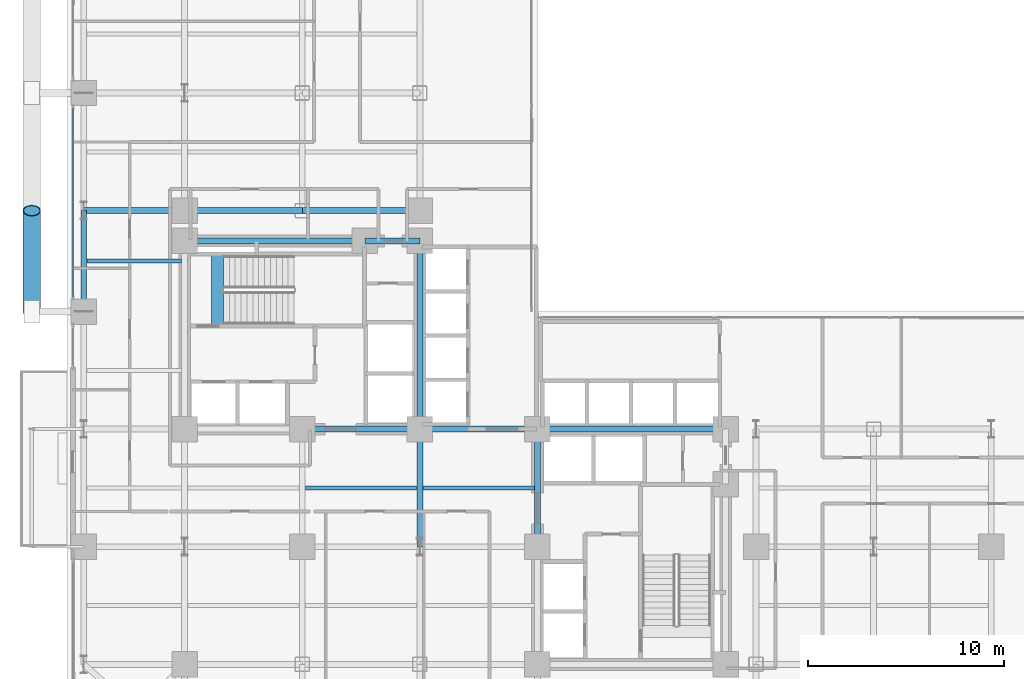
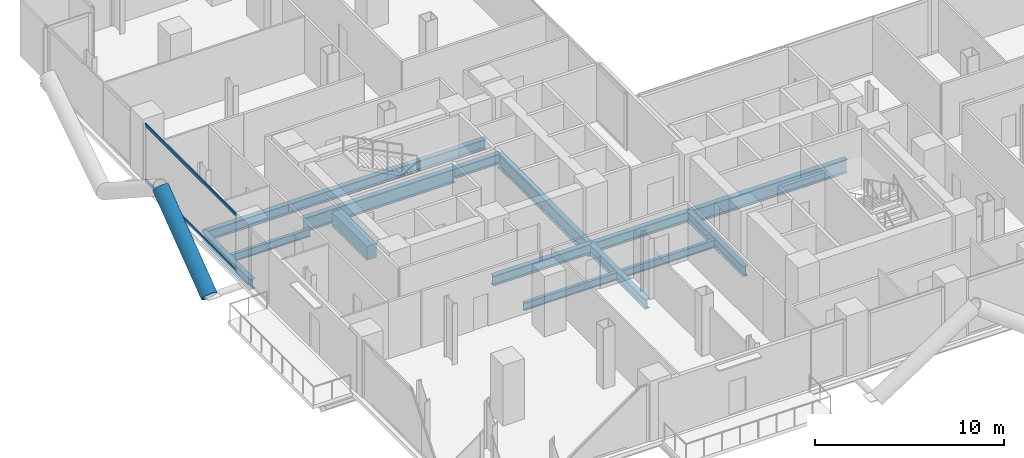
# One storey, part 6 of 25: 16 beams, 3 members, 1 element without a shape of its own.
"""IFC4 building model written with IfcOpenShell, lengths in metres."""

from ifc_helpers import new_model, si_unit, direction, frame, origin, origin_2d, place, context, subcontext, project, spatial, rectangle, hollow_rectangle, hollow_circle, i_section, extrude, material, layer, layer_set, material_profile, profile_set, type_object, element, aggregate, save


model = new_model("IFC4")

# Units and contexts
model_context = context("Model", 3, precision=1e-05, world=origin(), true_north=direction((0.0, 1.0)))
body_context = subcontext(model_context, "Body", "Model", "MODEL_VIEW")
ifc_project = project(units=[si_unit("LENGTHUNIT", "METRE"), si_unit("AREAUNIT", "SQUARE_METRE"), si_unit("VOLUMEUNIT", "CUBIC_METRE"), si_unit("PLANEANGLEUNIT", "RADIAN"), si_unit("MASSUNIT", "GRAM", prefix="KILO"), si_unit("THERMODYNAMICTEMPERATUREUNIT", "KELVIN"), si_unit("POWERUNIT", "WATT")], contexts=[model_context])

# Site, building, storey
site_placement = place(None, origin())
site = spatial("IfcSite", under=ifc_project, at=site_placement, CompositionType="ELEMENT")
building_placement = place(site_placement, origin())
building = spatial("IfcBuilding", under=site, at=building_placement, Name="Svarakhadi Broadcast Tower", CompositionType="ELEMENT")
storey_placement = place(building_placement, frame((0.0, 0.0, 36.300048828125)))
storey = spatial("IfcBuildingStorey", under=building, at=storey_placement, Name="L07", CompositionType="ELEMENT", Elevation=36.300048828125)

# Beams
ifc_material_1 = material(Name="Steel S355J2 (IS 2062 E350C)", Category="steel")
ifc_material_profile_1 = material_profile(ifc_material_1, i_section(OverallWidth=0.199951171875, OverallDepth=0.5, WebThickness=0.01025390625, FlangeThickness=0.01611328125, FilletRadius=0.02099609375, at=origin_2d()), Name="NPB 500x200x91")
ifc_profile_set_1 = profile_set([ifc_material_profile_1], Name="Steel S355J2 (IS 2062 E350C)")
beam_type_1 = type_object("IfcBeamType", Name="Beam_NPB500", PredefinedType="BEAM", material=ifc_profile_set_1)
beam_1_placement = place(storey_placement, frame((1.010009765625, 26.574951171875, -0.5), z_axis=(1.0, 0.0, 0.0), x_axis=(0.0, 1.0, 0.0)))
element("IfcBeam", 1, at=beam_1_placement, inside=storey, type_object=beam_type_1, Name="L07 Secondary Composite Beam SB004", PredefinedType="BEAM", context=body_context, shape_type="SweptSolid", body=[
    extrude(i_section(OverallWidth=0.199951171875, OverallDepth=0.5, WebThickness=0.01025390625, FlangeThickness=0.01611328125, FilletRadius=0.02099609375, at=origin_2d()), origin(), (0.0, 0.0, 1.0), 4.830078125),
])
for number, where, z_axis, x_axis, name in (
    (2, (12.159912109375, 15.0, -0.5), (1.0, 0.0, 0.0), (0.0, 1.0, 0.0), "L07 Secondary Composite Beam SB015"),
    (3, (18.159912109375, 15.0, -0.5), (1.0, 0.0, 0.0), (0.0, 1.0, 0.0), "L07 Secondary Composite Beam SB021"),
):
    element("IfcBeam", number, at=place(storey_placement, frame(where, z_axis=z_axis, x_axis=x_axis)), inside=storey, type_object=beam_type_1, Name=name, PredefinedType="BEAM", context=body_context, shape_type="SweptSolid", body=[
        extrude(i_section(OverallWidth=0.199951171875, OverallDepth=0.5, WebThickness=0.01025390625, FlangeThickness=0.01611328125, FilletRadius=0.02099609375, at=origin_2d()), origin(), (0.0, 0.0, 1.0), 5.68017578125),
    ])

# Curtain wall, members
ifc_material_2 = material(Name="Anodised Bronze Aluminium AA 6063-T6", Category="aluminium")
ifc_layer = layer(ifc_material_2, 0.219970703125)
ifc_layer_set = layer_set([ifc_layer], Name="Anodised Bronze Aluminium AA 6063-T6")
curtain_wall_type = type_object("IfcCurtainWallType", Name="CW_Sys_02", PredefinedType="NOTDEFINED", material=ifc_layer_set)
curtain_wall_placement = place(storey_placement, origin())
curtain_wall = element("IfcCurtainWall", 4, at=curtain_wall_placement, inside=storey, type_object=curtain_wall_type, Name="L07 West Curtain Wall 03 Bay 2", PredefinedType="NOTDEFINED")
ifc_material_profile_2 = material_profile(ifc_material_2, hollow_rectangle(XDim=0.074951171875, YDim=0.199951171875, WallThickness=0.0048828125, at=origin_2d()), Name="ALU TRANSOM 200x75x5")
ifc_profile_set_2 = profile_set([ifc_material_profile_2], Name="Anodised Bronze Aluminium AA 6063-T6")
member_type_1 = type_object("IfcMemberType", Name="CW_Sys_02_Trn", PredefinedType="USERDEFINED", material=ifc_profile_set_2)
member_1_placement = place(storey_placement, frame((0.300048828125, 24.7548828125, 0.037353515625), z_axis=(0.0, 1.0, 0.0), x_axis=(-1.0, 0.0, 0.0)))
member_1 = element("IfcMember", 5, at=member_1_placement, type_object=member_type_1, Name="CW-02 transom 1.1", ObjectType="TRANSOM", PredefinedType="USERDEFINED", context=body_context, shape_type="SweptSolid", body=[
    extrude(hollow_rectangle(XDim=0.074951171875, YDim=0.199951171875, WallThickness=0.0048828125, at=origin_2d()), origin(), (0.0, 0.0, 1.0), 9.64013671875),
])
member_2_placement = place(storey_placement, frame((0.300048828125, 24.7548828125, 3.612548828125), z_axis=(0.0, 1.0, 0.0), x_axis=(-1.0, 0.0, 0.0)))
member_2 = element("IfcMember", 6, at=member_2_placement, type_object=member_type_1, Name="CW-02 transom 1.2", ObjectType="TRANSOM", PredefinedType="USERDEFINED", context=body_context, shape_type="SweptSolid", body=[
    extrude(hollow_rectangle(XDim=0.074951171875, YDim=0.199951171875, WallThickness=0.0048828125, at=origin_2d()), origin(), (0.0, 0.0, 1.0), 9.64013671875),
])
aggregate(curtain_wall, [member_1, member_2])

# Beam
ifc_material_3 = material(Name="Concrete C50/60 (IS 456 M60)", Category="concrete")
ifc_material_profile_3 = material_profile(ifc_material_3, rectangle(XDim=0.60009765625, YDim=0.89990234375, at=origin_2d()), Name="RC 600x900")
ifc_profile_set_3 = profile_set([ifc_material_profile_3], Name="Concrete C50/60 (IS 456 M60)")
beam_type_2 = type_object("IfcBeamType", Name="Coupling_RC600", PredefinedType="USERDEFINED", material=ifc_profile_set_3)
beam_2_placement = place(storey_placement, frame((7.679931640625, 23.260009765625, -0.449951171875), z_axis=(0.0, 1.0, 0.0), x_axis=(-1.0, 0.0, 0.0)))
element("IfcBeam", 7, at=beam_2_placement, inside=storey, type_object=beam_type_2, Name="L07 Stair ST-01 Landing Throat Trimmer Beam CB-01", ObjectType="GIRDER", PredefinedType="USERDEFINED", context=body_context, shape_type="SweptSolid", body=[
    extrude(rectangle(XDim=0.60009765625, YDim=0.89990234375, at=origin_2d()), origin(), (0.0, 0.0, 1.0), 3.679931640625),
])

# Member
ifc_material_4 = material(Name="Steel S460ML (IS 2062 E450BR)", Category="steel")
ifc_material_profile_4 = material_profile(ifc_material_4, hollow_circle(Radius=0.45703125, WallThickness=0.044921875, at=origin_2d()), Name="CHS 914x45")
ifc_profile_set_4 = profile_set([ifc_material_profile_4], Name="Steel S460ML (IS 2062 E450BR)")
member_type_2 = type_object("IfcMemberType", Name="Exo_Brace_CHS914", PredefinedType="BRACE", material=ifc_profile_set_4)
member_3_placement = place(storey_placement, frame((-1.800048828125, 24.0, -0.427734375), z_axis=(0.0, 0.797206791841, 0.603706328476), x_axis=(-1.0, 0.0, 0.0)))
element("IfcMember", 8, at=member_3_placement, inside=storey, type_object=member_type_2, Name="L07 Exposed Bronze Exoskeleton Diagonal W05", PredefinedType="BRACE", context=body_context, shape_type="SweptSolid", body=[
    extrude(hollow_circle(Radius=0.45703125, WallThickness=0.044921875, at=origin_2d()), origin(), (0.0, 0.0, 1.0), 6.4599609375),
])

# Beams
ifc_material_profile_5 = material_profile(ifc_material_1, i_section(OverallWidth=0.300048828125, OverallDepth=0.64990234375, WebThickness=0.01611328125, FlangeThickness=0.031005859375, FilletRadius=0.027099609375, at=origin_2d()), Name="WPB 650x300x225")
ifc_profile_set_5 = profile_set([ifc_material_profile_5], Name="Steel S355J2 (IS 2062 E350C)")
beam_type_3 = type_object("IfcBeamType", Name="Girder_WPB650", PredefinedType="USERDEFINED", material=ifc_profile_set_5)
for number, where, z_axis, x_axis, name in (
    (9, (12.0, 18.0, -0.574951171875), (1.0, 0.0, 0.0), (0.0, 1.0, 0.0), "L07 Primary E-W Girder G027"),
    (10, (18.0, 18.0, -0.574951171875), (1.0, 0.0, 0.0), (0.0, 1.0, 0.0), "L07 Primary E-W Girder G028"),
):
    element("IfcBeam", number, at=place(storey_placement, frame(where, z_axis=z_axis, x_axis=x_axis)), inside=storey, type_object=beam_type_3, Name=name, ObjectType="GIRDER", PredefinedType="USERDEFINED", context=body_context, shape_type="SweptSolid", body=[
        extrude(i_section(OverallWidth=0.300048828125, OverallDepth=0.64990234375, WebThickness=0.01611328125, FlangeThickness=0.031005859375, FilletRadius=0.027099609375, at=origin_2d()), origin(), (0.0, 0.0, 1.0), 6.0),
    ])
beam_3_placement = place(storey_placement, frame((15.199951171875, 27.60009765625, -0.574951171875), z_axis=(1.0, 0.0, 0.0), x_axis=(0.0, 1.0, 0.0)))
element("IfcBeam", 11, at=beam_3_placement, inside=storey, type_object=beam_type_3, Name="L07 Primary E-W Girder G033", ObjectType="GIRDER", PredefinedType="USERDEFINED", context=body_context, shape_type="SweptSolid", body=[
    extrude(i_section(OverallWidth=0.300048828125, OverallDepth=0.64990234375, WebThickness=0.01611328125, FlangeThickness=0.031005859375, FilletRadius=0.027099609375, at=origin_2d()), origin(), (0.0, 0.0, 1.0), 2.800048828125),
])
beam_4_placement = place(storey_placement, frame((0.85009765625, 29.14990234375, -0.574951171875), z_axis=(1.0, 0.0, 0.0), x_axis=(0.0, 1.0, 0.0)))
element("IfcBeam", 12, at=beam_4_placement, inside=storey, type_object=beam_type_3, Name="L07 Primary E-W Girder G034", ObjectType="GIRDER", PredefinedType="USERDEFINED", context=body_context, shape_type="SweptSolid", body=[
    extrude(i_section(OverallWidth=0.300048828125, OverallDepth=0.64990234375, WebThickness=0.01611328125, FlangeThickness=0.031005859375, FilletRadius=0.027099609375, at=origin_2d()), origin(), (0.0, 0.0, 1.0), 5.14990234375),
])
for number, where, z_axis, x_axis, name in (
    (13, (6.0, 29.14990234375, -0.574951171875), (1.0, 0.0, 0.0), (0.0, 1.0, 0.0), "L07 Primary E-W Girder G035"),
    (14, (12.0, 29.14990234375, -0.574951171875), (1.0, 0.0, 0.0), (0.0, 1.0, 0.0), "L07 Primary E-W Girder G036"),
):
    element("IfcBeam", number, at=place(storey_placement, frame(where, z_axis=z_axis, x_axis=x_axis)), inside=storey, type_object=beam_type_3, Name=name, ObjectType="GIRDER", PredefinedType="USERDEFINED", context=body_context, shape_type="SweptSolid", body=[
        extrude(i_section(OverallWidth=0.300048828125, OverallDepth=0.64990234375, WebThickness=0.01611328125, FlangeThickness=0.031005859375, FilletRadius=0.027099609375, at=origin_2d()), origin(), (0.0, 0.0, 1.0), 6.0),
    ])
beam_5_placement = place(storey_placement, frame((0.85009765625, 24.0, -0.574951171875), z_axis=(0.0, 1.0, 0.0), x_axis=(-1.0, 0.0, 0.0)))
element("IfcBeam", 15, at=beam_5_placement, inside=storey, type_object=beam_type_3, Name="L07 Primary N-S Girder G048", ObjectType="GIRDER", PredefinedType="USERDEFINED", context=body_context, shape_type="SweptSolid", body=[
    extrude(i_section(OverallWidth=0.300048828125, OverallDepth=0.64990234375, WebThickness=0.01611328125, FlangeThickness=0.031005859375, FilletRadius=0.027099609375, at=origin_2d()), origin(), (0.0, 0.0, 1.0), 5.14990234375),
])
for number, where, z_axis, x_axis, name in (
    (16, (18.0, 12.0, -0.574951171875), (0.0, 1.0, 0.0), (-1.0, 0.0, 0.0), "L07 Primary N-S Girder G066"),
    (17, (24.0, 12.0, -0.574951171875), (0.0, 1.0, 0.0), (-1.0, 0.0, 0.0), "L07 Primary N-S Girder G073"),
):
    element("IfcBeam", number, at=place(storey_placement, frame(where, z_axis=z_axis, x_axis=x_axis)), inside=storey, type_object=beam_type_3, Name=name, ObjectType="GIRDER", PredefinedType="USERDEFINED", context=body_context, shape_type="SweptSolid", body=[
        extrude(i_section(OverallWidth=0.300048828125, OverallDepth=0.64990234375, WebThickness=0.01611328125, FlangeThickness=0.031005859375, FilletRadius=0.027099609375, at=origin_2d()), origin(), (0.0, 0.0, 1.0), 6.0),
    ])
ifc_material_profile_6 = material_profile(ifc_material_4, i_section(OverallWidth=0.300048828125, OverallDepth=0.89990234375, WebThickness=0.0185546875, FlangeThickness=0.034912109375, FilletRadius=0.030029296875, at=origin_2d()), Name="WPB 900x300x291")
ifc_profile_set_6 = profile_set([ifc_material_profile_6], Name="Steel S460ML (IS 2062 E450BR)")
beam_type_4 = type_object("IfcBeamType", Name="Girder_WPB900", PredefinedType="USERDEFINED", material=ifc_profile_set_6)
beam_6_placement = place(storey_placement, frame((24.0, 18.0, -0.699951171875), z_axis=(1.0, 0.0, 0.0), x_axis=(0.0, 1.0, 0.0)))
element("IfcBeam", 18, at=beam_6_placement, inside=storey, type_object=beam_type_4, Name="L07 Primary E-W Girder G029", ObjectType="GIRDER", PredefinedType="USERDEFINED", context=body_context, shape_type="SweptSolid", body=[
    extrude(i_section(OverallWidth=0.300048828125, OverallDepth=0.89990234375, WebThickness=0.0185546875, FlangeThickness=0.034912109375, FilletRadius=0.030029296875, at=origin_2d()), origin(), (0.0, 0.0, 1.0), 9.60009765625),
])
beam_7_placement = place(storey_placement, frame((6.0, 27.60009765625, -0.699951171875), z_axis=(1.0, 0.0, 0.0), x_axis=(0.0, 1.0, 0.0)))
element("IfcBeam", 19, at=beam_7_placement, inside=storey, type_object=beam_type_4, Name="L07 Primary E-W Girder G032", ObjectType="GIRDER", PredefinedType="USERDEFINED", context=body_context, shape_type="SweptSolid", body=[
    extrude(i_section(OverallWidth=0.300048828125, OverallDepth=0.89990234375, WebThickness=0.0185546875, FlangeThickness=0.034912109375, FilletRadius=0.030029296875, at=origin_2d()), origin(), (0.0, 0.0, 1.0), 9.199951171875),
])
beam_8_placement = place(storey_placement, frame((18.0, 18.0, -0.699951171875), z_axis=(0.0, 1.0, 0.0), x_axis=(-1.0, 0.0, 0.0)))
element("IfcBeam", 20, at=beam_8_placement, inside=storey, type_object=beam_type_4, Name="L07 Primary N-S Girder G067", ObjectType="GIRDER", PredefinedType="USERDEFINED", context=body_context, shape_type="SweptSolid", body=[
    extrude(i_section(OverallWidth=0.300048828125, OverallDepth=0.89990234375, WebThickness=0.0185546875, FlangeThickness=0.034912109375, FilletRadius=0.030029296875, at=origin_2d()), origin(), (0.0, 0.0, 1.0), 9.60009765625),
])

save(model, "model.ifc")
